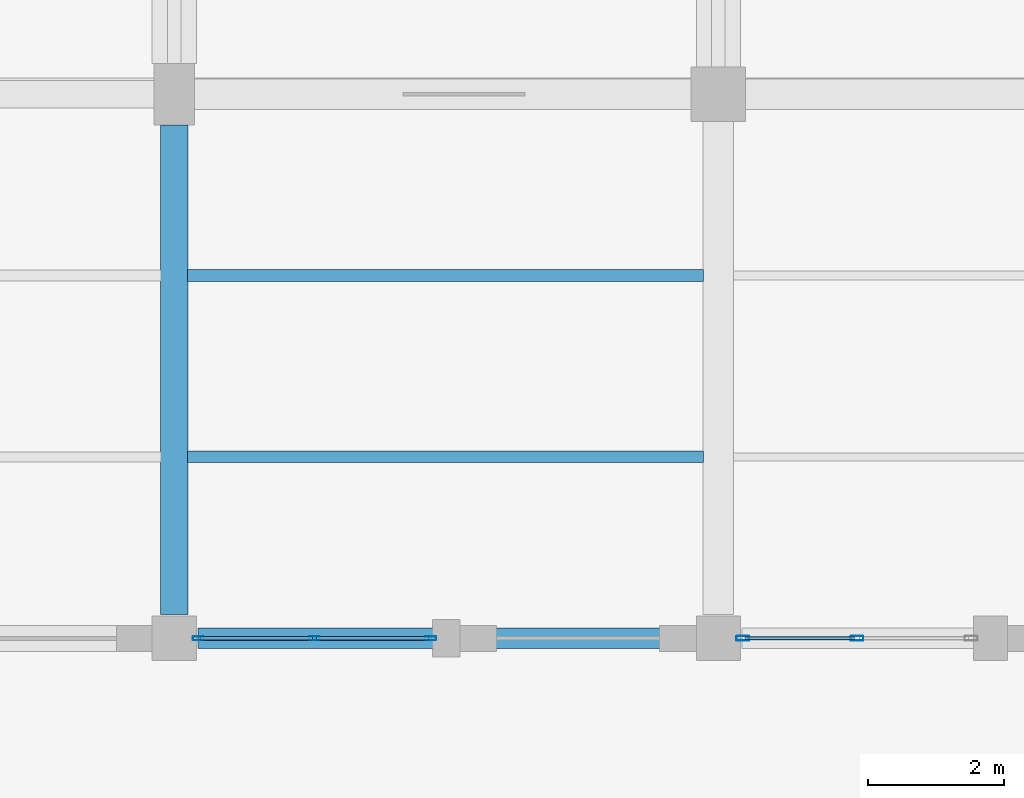
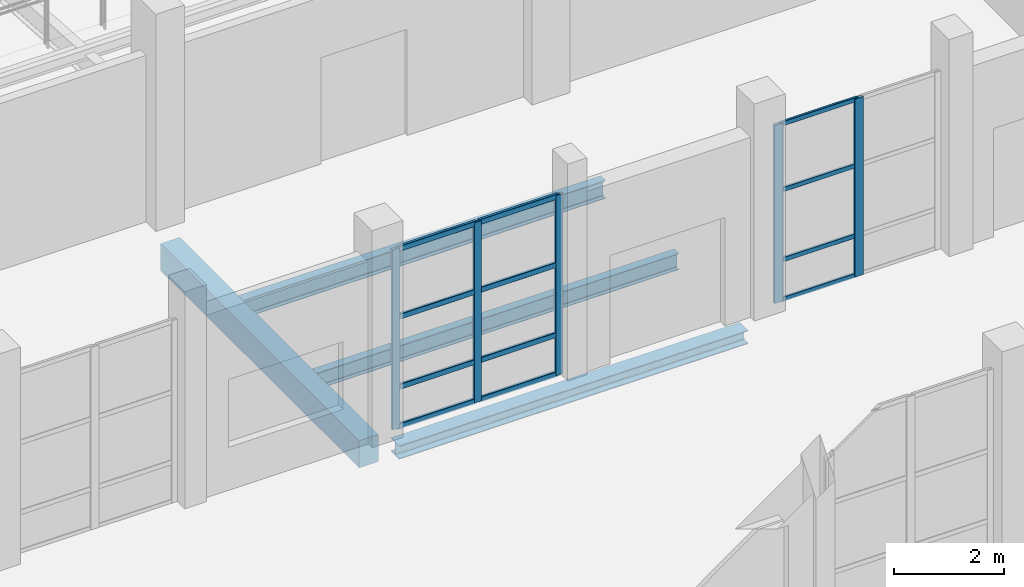
# One storey, part 30 of 156: 17 members, 4 beams, 2 elements without a shape of their own.
"""IFC4 building model written with IfcOpenShell, lengths in metres."""

from ifc_helpers import new_model, si_unit, direction, frame, origin, origin_2d, place, context, subcontext, project, spatial, rectangle, hollow_rectangle, i_section, extrude, material, material_profile, profile_set, type_object, element, aggregate, save


model = new_model("IFC4")

# Units and contexts
model_context = context("Model", 3, precision=1e-05, world=origin(), true_north=direction((0.0, 1.0)))
body_context = subcontext(model_context, "Body", "Model", "MODEL_VIEW")
ifc_project = project(units=[si_unit("LENGTHUNIT", "METRE"), si_unit("AREAUNIT", "SQUARE_METRE"), si_unit("VOLUMEUNIT", "CUBIC_METRE"), si_unit("PLANEANGLEUNIT", "RADIAN"), si_unit("MASSUNIT", "GRAM", prefix="KILO")], contexts=[model_context])

# Site, building, storey
site_placement = place(None, origin())
site = spatial("IfcSite", under=ifc_project, at=site_placement, CompositionType="ELEMENT")
building_placement = place(site_placement, origin())
building = spatial("IfcBuilding", under=site, at=building_placement, Name="Luwemba Playhouse", CompositionType="ELEMENT")
storey_placement = place(building_placement, origin())
storey = spatial("IfcBuildingStorey", under=building, at=storey_placement, Name="L00", CompositionType="ELEMENT", Elevation=0.0)

# Beams
ifc_material_1 = material(Name="Concrete C40/50", Category="concrete")
ifc_material_profile_1 = material_profile(ifc_material_1, rectangle(XDim=0.39990234375, YDim=0.60009765625, at=origin_2d()))
ifc_profile_set_1 = profile_set([ifc_material_profile_1], Name="Concrete C40/50")
beam_type_1 = type_object("IfcBeamType", Name="BM-RB01", PredefinedType="BEAM", material=ifc_profile_set_1)
beam_1_placement = place(storey_placement, frame((20.0, 36.35009765625, -0.60009765625), z_axis=(0.0, 1.0, 0.0), x_axis=(-1.0, 0.0, 0.0)))
element("IfcBeam", 1, at=beam_1_placement, inside=storey, type_object=beam_type_1, Name="L00 transverse girder 0027", PredefinedType="BEAM", context=body_context, shape_type="SweptSolid", body=[
    extrude(rectangle(XDim=0.39990234375, YDim=0.60009765625, at=origin_2d()), origin(), (0.0, 0.0, 1.0), 7.199951171875),
])
ifc_material_2 = material(Name="Steel S355", Category="steel")
ifc_material_profile_2 = material_profile(ifc_material_2, i_section(OverallWidth=0.169921875, OverallDepth=0.360107421875, WebThickness=0.008056640625, FlangeThickness=0.0126953125, FilletRadius=0.01806640625, at=origin_2d()))
ifc_profile_set_2 = profile_set([ifc_material_profile_2], Name="Steel S355")
beam_type_2 = type_object("IfcBeamType", Name="BM-SJ07", PredefinedType="JOIST", material=ifc_profile_set_2)
beam_2_placement = place(storey_placement, frame((20.196044921875, 38.666748046875, -0.47998046875), z_axis=(1.0, 0.0, 0.0), x_axis=(0.0, 1.0, 0.0)))
element("IfcBeam", 2, at=beam_2_placement, inside=storey, type_object=beam_type_2, Name="L00 composite floor joist 0015", PredefinedType="JOIST", context=body_context, shape_type="SweptSolid", body=[
    extrude(i_section(OverallWidth=0.169921875, OverallDepth=0.360107421875, WebThickness=0.008056640625, FlangeThickness=0.0126953125, FilletRadius=0.01806640625, at=origin_2d()), origin(), (0.0, 0.0, 1.0), 7.5830078125),
])
ifc_material_profile_3 = material_profile(ifc_material_2, i_section(OverallWidth=0.179931640625, OverallDepth=0.39990234375, WebThickness=0.008544921875, FlangeThickness=0.013427734375, FilletRadius=0.02099609375, at=origin_2d()))
ifc_profile_set_3 = profile_set([ifc_material_profile_3], Name="Steel S355")
beam_type_3 = type_object("IfcBeamType", Name="BM-SJ08", PredefinedType="JOIST", material=ifc_profile_set_3)
beam_3_placement = place(storey_placement, frame((20.196044921875, 41.333251953125, -0.5), z_axis=(1.0, 0.0, 0.0), x_axis=(0.0, 1.0, 0.0)))
element("IfcBeam", 3, at=beam_3_placement, inside=storey, type_object=beam_type_3, Name="L00 composite floor joist 0016", PredefinedType="JOIST", context=body_context, shape_type="SweptSolid", body=[
    extrude(i_section(OverallWidth=0.179931640625, OverallDepth=0.39990234375, WebThickness=0.008544921875, FlangeThickness=0.013427734375, FilletRadius=0.02099609375, at=origin_2d()), origin(), (0.0, 0.0, 1.0), 7.5830078125),
])
ifc_material_profile_4 = material_profile(ifc_material_2, i_section(OverallWidth=0.300048828125, OverallDepth=0.300048828125, WebThickness=0.010986328125, FlangeThickness=0.01904296875, FilletRadius=0.027099609375, at=origin_2d()))
ifc_profile_set_4 = profile_set([ifc_material_profile_4], Name="Steel S355")
beam_type_4 = type_object("IfcBeamType", Name="BM-SSP1", PredefinedType="SPANDREL", material=ifc_profile_set_4)
beam_4_placement = place(storey_placement, frame((20.35009765625, 36.0, -0.449951171875), z_axis=(1.0, 0.0, 0.0), x_axis=(0.0, 1.0, 0.0)))
element("IfcBeam", 4, at=beam_4_placement, inside=storey, type_object=beam_type_4, Name="L00 grid girder 0003", PredefinedType="SPANDREL", context=body_context, shape_type="SweptSolid", body=[
    extrude(i_section(OverallWidth=0.300048828125, OverallDepth=0.300048828125, WebThickness=0.010986328125, FlangeThickness=0.01904296875, FilletRadius=0.027099609375, at=origin_2d()), origin(), (0.0, 0.0, 1.0), 7.2998046875),
])

# Curtain wall, members
ifc_material_3 = material(Name="Solar-control double glazing", Category="glass")
curtain_wall_type_1 = type_object("IfcCurtainWallType", Name="CW-CW11", PredefinedType="USERDEFINED", material=ifc_material_3)
curtain_wall_1_placement = place(storey_placement, origin())
curtain_wall_1 = element("IfcCurtainWall", 5, at=curtain_wall_1_placement, inside=storey, type_object=curtain_wall_type_1, Name="L00 V1 unitised curtain wall 011", ObjectType="UNITISED GLAZING", PredefinedType="USERDEFINED")
ifc_material_4 = material(Name="Aluminium 6063-T6", Category="aluminium")
ifc_material_profile_5 = material_profile(ifc_material_4, hollow_rectangle(XDim=0.06005859375, YDim=0.159912109375, WallThickness=0.00390625, InnerFilletRadius=0.006103515625, OuterFilletRadius=0.010009765625, at=origin_2d()))
ifc_profile_set_5 = profile_set([ifc_material_profile_5], Name="Aluminium 6063-T6")
member_type_1 = type_object("IfcMemberType", Name="CWM-M1", PredefinedType="MULLION", material=ifc_profile_set_5)
member_1_placement = place(storey_placement, frame((23.77001953125, 36.0, 0.0), z_axis=(0.0, 0.0, 1.0), x_axis=(0.0, -1.0, 0.0)))
member_1 = element("IfcMember", 6, at=member_1_placement, type_object=member_type_1, Name="CW11 mullion 1", PredefinedType="MULLION", context=body_context, shape_type="SweptSolid", body=[
    extrude(hollow_rectangle(XDim=0.06005859375, YDim=0.159912109375, WallThickness=0.00390625, InnerFilletRadius=0.006103515625, OuterFilletRadius=0.010009765625, at=origin_2d()), origin(), (0.0, 0.0, 1.0), 3.985107421875),
])
member_2_placement = place(storey_placement, frame((22.0625, 36.0, 0.0), z_axis=(0.0, 0.0, 1.0), x_axis=(0.0, -1.0, 0.0)))
member_2 = element("IfcMember", 7, at=member_2_placement, type_object=member_type_1, Name="CW11 mullion 2", PredefinedType="MULLION", context=body_context, shape_type="SweptSolid", body=[
    extrude(hollow_rectangle(XDim=0.06005859375, YDim=0.159912109375, WallThickness=0.00390625, InnerFilletRadius=0.006103515625, OuterFilletRadius=0.010009765625, at=origin_2d()), origin(), (0.0, 0.0, 1.0), 3.985107421875),
])
member_3_placement = place(storey_placement, frame((20.35498046875, 36.0, 0.0), z_axis=(0.0, 0.0, 1.0), x_axis=(0.0, -1.0, 0.0)))
member_3 = element("IfcMember", 8, at=member_3_placement, type_object=member_type_1, Name="CW11 mullion 3", PredefinedType="MULLION", context=body_context, shape_type="SweptSolid", body=[
    extrude(hollow_rectangle(XDim=0.06005859375, YDim=0.159912109375, WallThickness=0.00390625, InnerFilletRadius=0.006103515625, OuterFilletRadius=0.010009765625, at=origin_2d()), origin(), (0.0, 0.0, 1.0), 3.985107421875),
])

curtain_wall_type_2 = type_object("IfcCurtainWallType", Name="CW-CW10", PredefinedType="USERDEFINED", material=ifc_material_3)
curtain_wall_2_placement = place(storey_placement, origin())
curtain_wall_2 = element("IfcCurtainWall", 9, at=curtain_wall_2_placement, inside=storey, type_object=curtain_wall_type_2, Name="L00 V1 unitised curtain wall 010", ObjectType="UNITISED GLAZING", PredefinedType="USERDEFINED")
ifc_material_profile_6 = material_profile(ifc_material_4, hollow_rectangle(XDim=0.070068359375, YDim=0.18994140625, WallThickness=0.0048828125, InnerFilletRadius=0.007568359375, OuterFilletRadius=0.012451171875, at=origin_2d()))
ifc_profile_set_6 = profile_set([ifc_material_profile_6], Name="Aluminium 6063-T6")
member_type_2 = type_object("IfcMemberType", Name="CWM-M4", PredefinedType="MULLION", material=ifc_profile_set_6)
member_4_placement = place(storey_placement, frame((30.03759765625, 36.0, 0.0), z_axis=(0.0, 0.0, 1.0), x_axis=(0.0, -1.0, 0.0)))
member_4 = element("IfcMember", 10, at=member_4_placement, type_object=member_type_2, Name="CW10 mullion 2", PredefinedType="MULLION", context=body_context, shape_type="SweptSolid", body=[
    extrude(hollow_rectangle(XDim=0.070068359375, YDim=0.18994140625, WallThickness=0.0048828125, InnerFilletRadius=0.007568359375, OuterFilletRadius=0.012451171875, at=origin_2d()), origin(), (0.0, 0.0, 1.0), 3.93505859375),
])
member_5_placement = place(storey_placement, frame((28.360107421875, 36.0, 0.0), z_axis=(0.0, 0.0, 1.0), x_axis=(0.0, -1.0, 0.0)))
member_5 = element("IfcMember", 11, at=member_5_placement, type_object=member_type_2, Name="CW10 mullion 3", PredefinedType="MULLION", context=body_context, shape_type="SweptSolid", body=[
    extrude(hollow_rectangle(XDim=0.070068359375, YDim=0.18994140625, WallThickness=0.0048828125, InnerFilletRadius=0.007568359375, OuterFilletRadius=0.012451171875, at=origin_2d()), origin(), (0.0, 0.0, 1.0), 3.93505859375),
])

# Member
ifc_material_profile_7 = material_profile(ifc_material_4, hollow_rectangle(XDim=0.06005859375, YDim=0.1201171875, WallThickness=0.00390625, InnerFilletRadius=0.006103515625, OuterFilletRadius=0.010009765625, at=origin_2d()))
ifc_profile_set_7 = profile_set([ifc_material_profile_7], Name="Aluminium 6063-T6")
member_type_3 = type_object("IfcMemberType", Name="CWT-T1", PredefinedType="USERDEFINED", material=ifc_profile_set_7)
member_6_placement = place(storey_placement, frame((23.739990234375, 36.0, 0.030029296875), z_axis=(-1.0, 0.0, 0.0), x_axis=(0.0, -1.0, 0.0)))
member_6 = element("IfcMember", 12, at=member_6_placement, type_object=member_type_3, Name="CW11 transom 1.1", ObjectType="TRANSOM", PredefinedType="USERDEFINED", context=body_context, shape_type="SweptSolid", body=[
    extrude(hollow_rectangle(XDim=0.06005859375, YDim=0.1201171875, WallThickness=0.00390625, InnerFilletRadius=0.006103515625, OuterFilletRadius=0.010009765625, at=origin_2d()), origin(), (0.0, 0.0, 1.0), 1.6474609375),
])

member_7_placement = place(storey_placement, frame((23.739990234375, 36.0, 0.89990234375), z_axis=(-1.0, 0.0, 0.0), x_axis=(0.0, -1.0, 0.0)))
member_7 = element("IfcMember", 13, at=member_7_placement, type_object=member_type_3, Name="CW11 transom 1.2", ObjectType="TRANSOM", PredefinedType="USERDEFINED", context=body_context, shape_type="SweptSolid", body=[
    extrude(hollow_rectangle(XDim=0.06005859375, YDim=0.1201171875, WallThickness=0.00390625, InnerFilletRadius=0.006103515625, OuterFilletRadius=0.010009765625, at=origin_2d()), origin(), (0.0, 0.0, 1.0), 1.6474609375),
])

member_8_placement = place(storey_placement, frame((23.739990234375, 36.0, 2.449951171875), z_axis=(-1.0, 0.0, 0.0), x_axis=(0.0, -1.0, 0.0)))
member_8 = element("IfcMember", 14, at=member_8_placement, type_object=member_type_3, Name="CW11 transom 1.3", ObjectType="TRANSOM", PredefinedType="USERDEFINED", context=body_context, shape_type="SweptSolid", body=[
    extrude(hollow_rectangle(XDim=0.06005859375, YDim=0.1201171875, WallThickness=0.00390625, InnerFilletRadius=0.006103515625, OuterFilletRadius=0.010009765625, at=origin_2d()), origin(), (0.0, 0.0, 1.0), 1.6474609375),
])

member_9_placement = place(storey_placement, frame((23.739990234375, 36.0, 3.955078125), z_axis=(-1.0, 0.0, 0.0), x_axis=(0.0, -1.0, 0.0)))
member_9 = element("IfcMember", 15, at=member_9_placement, type_object=member_type_3, Name="CW11 transom 1.4", ObjectType="TRANSOM", PredefinedType="USERDEFINED", context=body_context, shape_type="SweptSolid", body=[
    extrude(hollow_rectangle(XDim=0.06005859375, YDim=0.1201171875, WallThickness=0.00390625, InnerFilletRadius=0.006103515625, OuterFilletRadius=0.010009765625, at=origin_2d()), origin(), (0.0, 0.0, 1.0), 1.6474609375),
])

member_10_placement = place(storey_placement, frame((22.032470703125, 36.0, 0.030029296875), z_axis=(-1.0, 0.0, 0.0), x_axis=(0.0, -1.0, 0.0)))
member_10 = element("IfcMember", 16, at=member_10_placement, type_object=member_type_3, Name="CW11 transom 2.1", ObjectType="TRANSOM", PredefinedType="USERDEFINED", context=body_context, shape_type="SweptSolid", body=[
    extrude(hollow_rectangle(XDim=0.06005859375, YDim=0.1201171875, WallThickness=0.00390625, InnerFilletRadius=0.006103515625, OuterFilletRadius=0.010009765625, at=origin_2d()), origin(), (0.0, 0.0, 1.0), 1.6474609375),
])

member_11_placement = place(storey_placement, frame((22.032470703125, 36.0, 0.89990234375), z_axis=(-1.0, 0.0, 0.0), x_axis=(0.0, -1.0, 0.0)))
member_11 = element("IfcMember", 17, at=member_11_placement, type_object=member_type_3, Name="CW11 transom 2.2", ObjectType="TRANSOM", PredefinedType="USERDEFINED", context=body_context, shape_type="SweptSolid", body=[
    extrude(hollow_rectangle(XDim=0.06005859375, YDim=0.1201171875, WallThickness=0.00390625, InnerFilletRadius=0.006103515625, OuterFilletRadius=0.010009765625, at=origin_2d()), origin(), (0.0, 0.0, 1.0), 1.6474609375),
])

member_12_placement = place(storey_placement, frame((22.032470703125, 36.0, 2.449951171875), z_axis=(-1.0, 0.0, 0.0), x_axis=(0.0, -1.0, 0.0)))
member_12 = element("IfcMember", 18, at=member_12_placement, type_object=member_type_3, Name="CW11 transom 2.3", ObjectType="TRANSOM", PredefinedType="USERDEFINED", context=body_context, shape_type="SweptSolid", body=[
    extrude(hollow_rectangle(XDim=0.06005859375, YDim=0.1201171875, WallThickness=0.00390625, InnerFilletRadius=0.006103515625, OuterFilletRadius=0.010009765625, at=origin_2d()), origin(), (0.0, 0.0, 1.0), 1.6474609375),
])

member_13_placement = place(storey_placement, frame((22.032470703125, 36.0, 3.955078125), z_axis=(-1.0, 0.0, 0.0), x_axis=(0.0, -1.0, 0.0)))
member_13 = element("IfcMember", 19, at=member_13_placement, type_object=member_type_3, Name="CW11 transom 2.4", ObjectType="TRANSOM", PredefinedType="USERDEFINED", context=body_context, shape_type="SweptSolid", body=[
    extrude(hollow_rectangle(XDim=0.06005859375, YDim=0.1201171875, WallThickness=0.00390625, InnerFilletRadius=0.006103515625, OuterFilletRadius=0.010009765625, at=origin_2d()), origin(), (0.0, 0.0, 1.0), 1.6474609375),
])

aggregate(curtain_wall_1, [member_1, member_2, member_3, member_6, member_7, member_8, member_9, member_10, member_11, member_12, member_13])

ifc_material_profile_8 = material_profile(ifc_material_4, hollow_rectangle(XDim=0.050048828125, YDim=0.10009765625, WallThickness=0.00341796875, InnerFilletRadius=0.00537109375, OuterFilletRadius=0.0087890625, at=origin_2d()))
ifc_profile_set_8 = profile_set([ifc_material_profile_8], Name="Aluminium 6063-T6")
member_type_4 = type_object("IfcMemberType", Name="CWT-T4", PredefinedType="USERDEFINED", material=ifc_profile_set_8)
member_14_placement = place(storey_placement, frame((30.00244140625, 36.0, 0.02490234375), z_axis=(-1.0, 0.0, 0.0), x_axis=(0.0, -1.0, 0.0)))
member_14 = element("IfcMember", 20, at=member_14_placement, type_object=member_type_4, Name="CW10 transom 2.1", ObjectType="TRANSOM", PredefinedType="USERDEFINED", context=body_context, shape_type="SweptSolid", body=[
    extrude(hollow_rectangle(XDim=0.050048828125, YDim=0.10009765625, WallThickness=0.00341796875, InnerFilletRadius=0.00537109375, OuterFilletRadius=0.0087890625, at=origin_2d()), origin(), (0.0, 0.0, 1.0), 1.607421875),
])

member_15_placement = place(storey_placement, frame((30.00244140625, 36.0, 0.89990234375), z_axis=(-1.0, 0.0, 0.0), x_axis=(0.0, -1.0, 0.0)))
member_15 = element("IfcMember", 21, at=member_15_placement, type_object=member_type_4, Name="CW10 transom 2.2", ObjectType="TRANSOM", PredefinedType="USERDEFINED", context=body_context, shape_type="SweptSolid", body=[
    extrude(hollow_rectangle(XDim=0.050048828125, YDim=0.10009765625, WallThickness=0.00341796875, InnerFilletRadius=0.00537109375, OuterFilletRadius=0.0087890625, at=origin_2d()), origin(), (0.0, 0.0, 1.0), 1.607421875),
])

member_16_placement = place(storey_placement, frame((30.00244140625, 36.0, 2.449951171875), z_axis=(-1.0, 0.0, 0.0), x_axis=(0.0, -1.0, 0.0)))
member_16 = element("IfcMember", 22, at=member_16_placement, type_object=member_type_4, Name="CW10 transom 2.3", ObjectType="TRANSOM", PredefinedType="USERDEFINED", context=body_context, shape_type="SweptSolid", body=[
    extrude(hollow_rectangle(XDim=0.050048828125, YDim=0.10009765625, WallThickness=0.00341796875, InnerFilletRadius=0.00537109375, OuterFilletRadius=0.0087890625, at=origin_2d()), origin(), (0.0, 0.0, 1.0), 1.607421875),
])

member_17_placement = place(storey_placement, frame((30.00244140625, 36.0, 3.909912109375), z_axis=(-1.0, 0.0, 0.0), x_axis=(0.0, -1.0, 0.0)))
member_17 = element("IfcMember", 23, at=member_17_placement, type_object=member_type_4, Name="CW10 transom 2.4", ObjectType="TRANSOM", PredefinedType="USERDEFINED", context=body_context, shape_type="SweptSolid", body=[
    extrude(hollow_rectangle(XDim=0.050048828125, YDim=0.10009765625, WallThickness=0.00341796875, InnerFilletRadius=0.00537109375, OuterFilletRadius=0.0087890625, at=origin_2d()), origin(), (0.0, 0.0, 1.0), 1.607421875),
])

aggregate(curtain_wall_2, [member_4, member_5, member_14, member_15, member_16, member_17])

save(model, "model.ifc")
